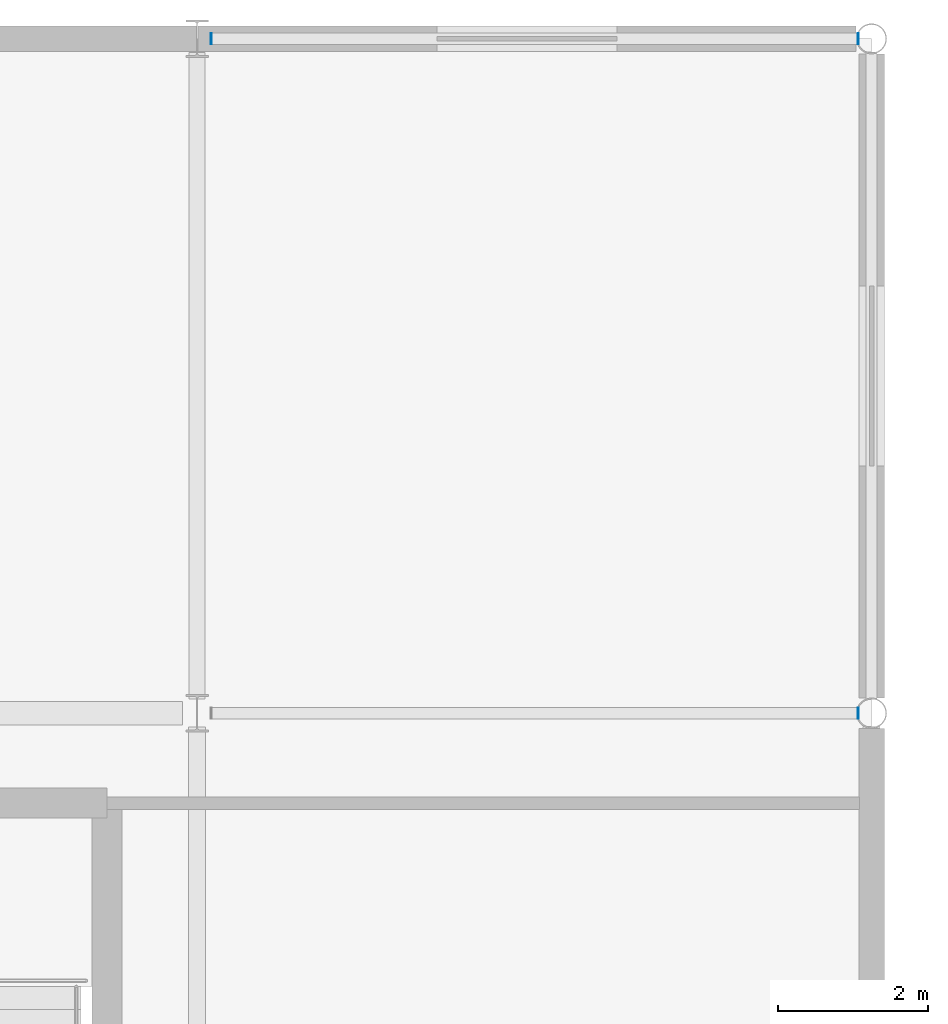
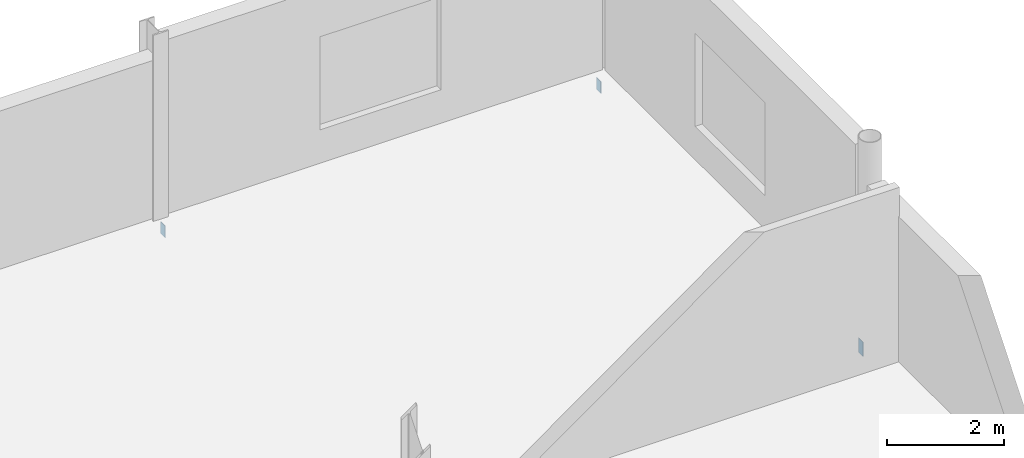
# One storey, part 79 of 96: 3 discrete accessories.
"""IFC4 building model written with IfcOpenShell, lengths in metres."""

from ifc_helpers import new_model, si_unit, direction, frame, origin, place, context, subcontext, project, spatial, polyline, outline, extrude, material, layer, layer_set, type_object, element, save


model = new_model("IFC4")

# Units and contexts
model_context = context("Model", 3, precision=1e-05, world=origin(), true_north=direction((0.0, 1.0)))
body_context = subcontext(model_context, "Body", "Model", "MODEL_VIEW")
ifc_project = project(units=[si_unit("LENGTHUNIT", "METRE"), si_unit("AREAUNIT", "SQUARE_METRE"), si_unit("VOLUMEUNIT", "CUBIC_METRE"), si_unit("PLANEANGLEUNIT", "RADIAN"), si_unit("MASSUNIT", "GRAM", prefix="KILO")], contexts=[model_context])

# Site, building, storey
site_placement = place(None, origin())
site = spatial("IfcSite", under=ifc_project, at=site_placement, CompositionType="ELEMENT")
building_placement = place(site_placement, origin())
building = spatial("IfcBuilding", under=site, at=building_placement, Name="Kisiwana Market Hall", CompositionType="ELEMENT")
storey_placement = place(building_placement, frame((0.0, 0.0, 25.5)))
storey = spatial("IfcBuildingStorey", under=building, at=storey_placement, Name="L05", CompositionType="ELEMENT", Elevation=25.5)

# Discrete accessories
ifc_material = material(Name="Steel S355", Category="steel")
ifc_layer = layer(ifc_material, 0.011962890625)
ifc_layer_set = layer_set([ifc_layer], Name="ACC-ENDCAP-STL")
discrete_accessory_type = type_object("IfcDiscreteAccessoryType", Name="ACC-ENDCAP-STL", PredefinedType="USERDEFINED", material=ifc_layer_set)
discrete_accessory_1_placement = place(storey_placement, frame((0.0, 0.0, -0.614990234375)))
element("IfcDiscreteAccessory", 1, at=discrete_accessory_1_placement, inside=storey, type_object=discrete_accessory_type, Name="End cap plate EC-0076", ObjectType="End cap plate", PredefinedType="USERDEFINED", context=body_context, shape_type="SweptSolid", body=[
    extrude(outline(polyline([(197.817626953125, 101.925048828125), (197.82958984375, 101.925048828125), (197.82958984375, 102.074951171875), (197.817626953125, 102.074951171875), (197.817626953125, 101.925048828125)])), origin(), (0.0, 0.0, 1.0), 0.300048828125),
])
discrete_accessory_2_placement = place(storey_placement, frame((0.0, 0.0, -0.56494140625)))
element("IfcDiscreteAccessory", 2, at=discrete_accessory_2_placement, inside=storey, type_object=discrete_accessory_type, Name="End cap plate EC-0082", ObjectType="End cap plate", PredefinedType="USERDEFINED", context=body_context, shape_type="SweptSolid", body=[
    extrude(outline(polyline([(197.817626953125, 110.925048828125), (197.82958984375, 110.925048828125), (197.82958984375, 111.074951171875), (197.817626953125, 111.074951171875), (197.817626953125, 110.925048828125)])), origin(), (0.0, 0.0, 1.0), 0.25),
])
discrete_accessory_3_placement = place(storey_placement, frame((0.0, 0.0, -0.56494140625)))
element("IfcDiscreteAccessory", 3, at=discrete_accessory_3_placement, inside=storey, type_object=discrete_accessory_type, Name="End cap plate EC-0083", ObjectType="End cap plate", PredefinedType="USERDEFINED", context=body_context, shape_type="SweptSolid", body=[
    extrude(outline(polyline([(189.193359375, 110.925048828125), (189.193359375, 111.074951171875), (189.181396484375, 111.074951171875), (189.181396484375, 110.925048828125), (189.193359375, 110.925048828125)])), origin(), (0.0, 0.0, 1.0), 0.25),
])

save(model, "model.ifc")
